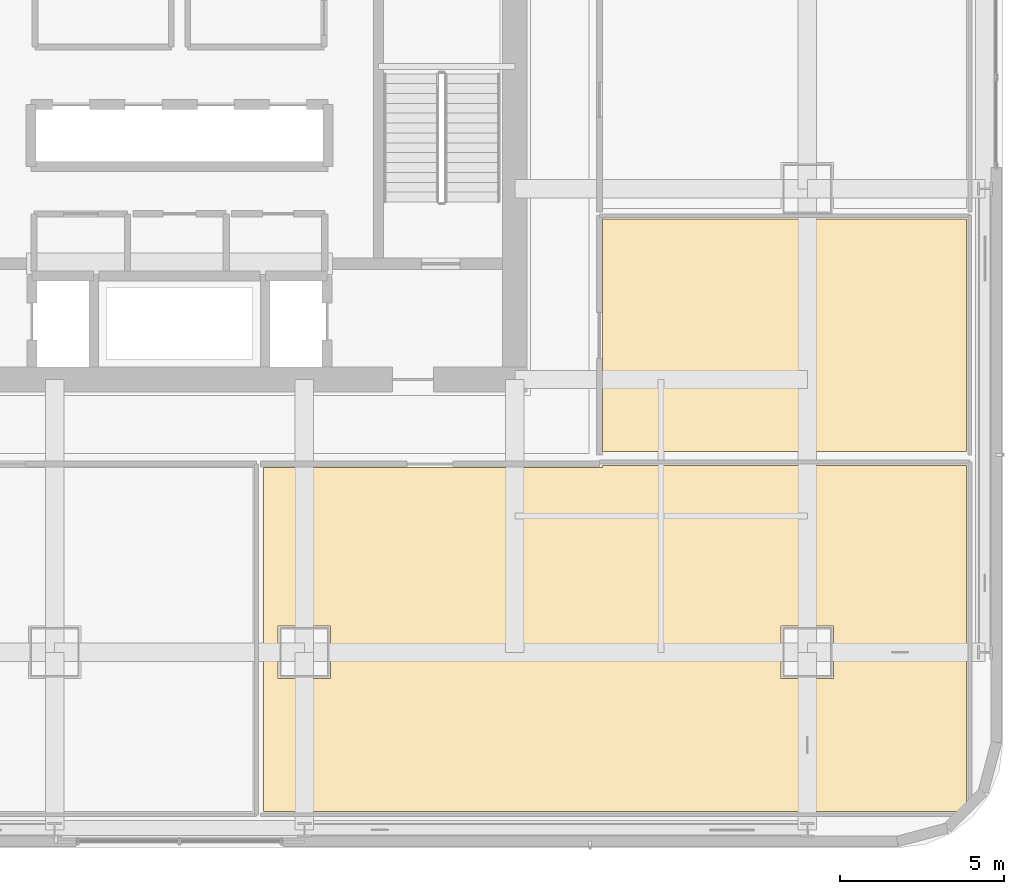
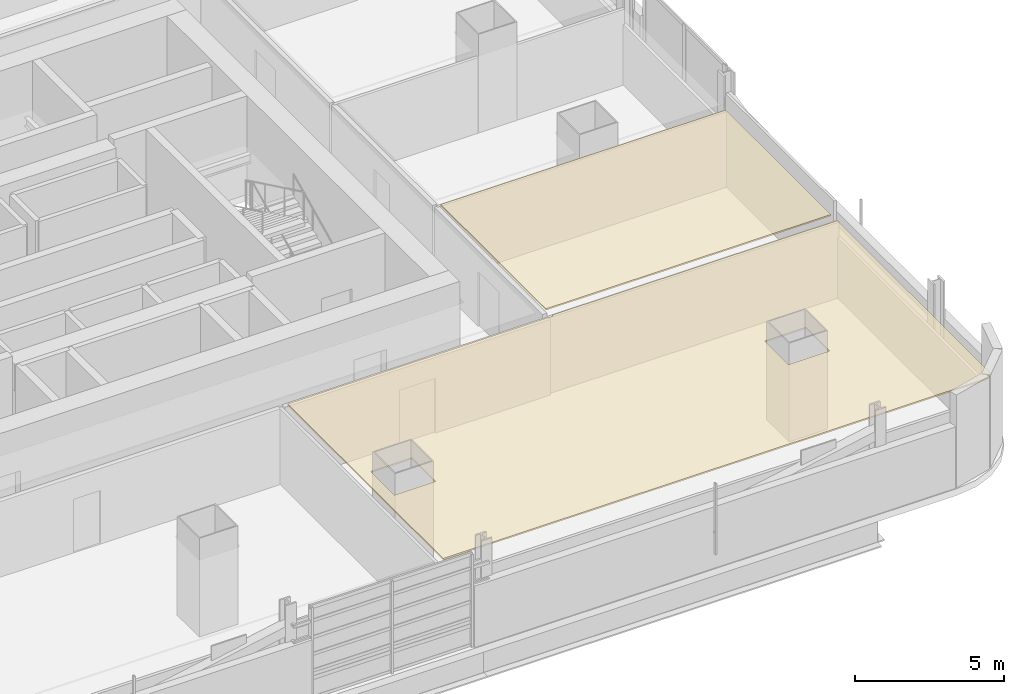
# One storey, part 22 of 27: 2 coverings.
"""IFC4 building model written with IfcOpenShell, lengths in metres."""

from ifc_helpers import new_model, si_unit, direction, frame, origin, place, context, subcontext, project, spatial, polyline, outline, extrude, material, layer, layer_set, type_object, element, save


model = new_model("IFC4")

# Units and contexts
model_context = context("Model", 3, precision=1e-05, world=origin(), true_north=direction((0.0, 1.0)))
body_context = subcontext(model_context, "Body", "Model", "MODEL_VIEW")
ifc_project = project(units=[si_unit("LENGTHUNIT", "METRE"), si_unit("AREAUNIT", "SQUARE_METRE"), si_unit("VOLUMEUNIT", "CUBIC_METRE"), si_unit("PLANEANGLEUNIT", "RADIAN"), si_unit("MASSUNIT", "GRAM", prefix="KILO")], contexts=[model_context])

# Site, building, storey
site_placement = place(None, origin())
site = spatial("IfcSite", under=ifc_project, at=site_placement, CompositionType="ELEMENT")
building_placement = place(site_placement, origin())
building = spatial("IfcBuilding", under=site, at=building_placement, Name="Punatoya Terracotta Tower", CompositionType="ELEMENT")
storey_placement = place(building_placement, frame((0.0, 0.0, 60.60009765625)))
storey = spatial("IfcBuildingStorey", under=building, at=storey_placement, Name="L13", CompositionType="ELEMENT", Elevation=60.60009765625)

# Coverings
ifc_material = material(Name="Acoustic Mineral Fibre Ceiling")
ifc_layer = layer(ifc_material, 0.06005859375)
ifc_layer_set = layer_set([ifc_layer], Name="Acoustic Mineral Fibre Ceiling")
covering_type = type_object("IfcCoveringType", Name="COV-CEIL-60", PredefinedType="CEILING", material=ifc_layer_set)
covering_1_placement = place(storey_placement, frame((0.0, 0.0, 3.159912109375)))
element("IfcCovering", 1, at=covering_1_placement, inside=storey, type_object=covering_type, Name="L13 Media Broadcast Studio Acoustic Ceiling", PredefinedType="CEILING", context=body_context, shape_type="SweptSolid", body=[
    extrude(outline(polyline([(12.8701171875, -11.8701171875), (2.56005859375, -11.8701171875), (2.56005859375, -22.340087890625), (23.713623046875, -22.340087890625), (23.841796875, -22.24169921875), (23.93994140625, -22.113525390625), (23.93994140625, -11.81005859375), (12.8701171875, -11.81005859375), (12.8701171875, -11.8701171875)]), holes=[polyline([(19.89990234375, -18.300048828125), (18.300048828125, -18.300048828125), (18.300048828125, -16.699951171875), (19.89990234375, -16.699951171875), (19.89990234375, -18.300048828125)]), polyline([(4.60009765625, -16.699951171875), (4.60009765625, -18.300048828125), (3.0, -18.300048828125), (3.0, -16.699951171875), (4.60009765625, -16.699951171875)])]), origin(), (0.0, 0.0, 1.0), 0.06005859375),
])
covering_2_placement = place(storey_placement, frame((0.0, 0.0, 3.159912109375)))
element("IfcCovering", 2, at=covering_2_placement, inside=storey, type_object=covering_type, Name="L13 Press Briefing Room Acoustic Ceiling", PredefinedType="CEILING", context=body_context, shape_type="SweptSolid", body=[
    extrude(outline(polyline([(12.8701171875, -4.318115234375), (12.8701171875, -11.389892578125), (23.93994140625, -11.389892578125), (23.93994140625, -4.318115234375), (12.8701171875, -4.318115234375)])), origin(), (0.0, 0.0, 1.0), 0.06005859375),
])

save(model, "model.ifc")
